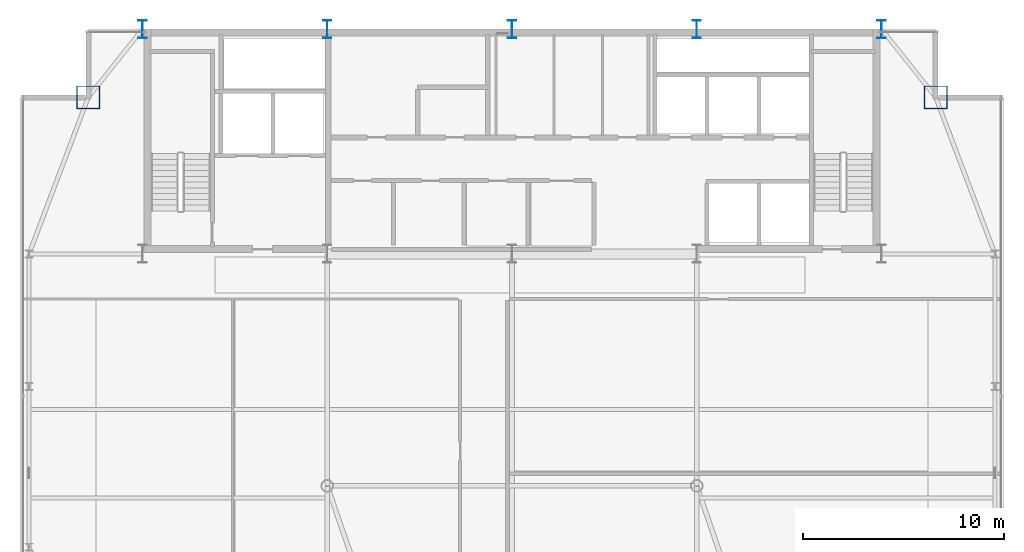
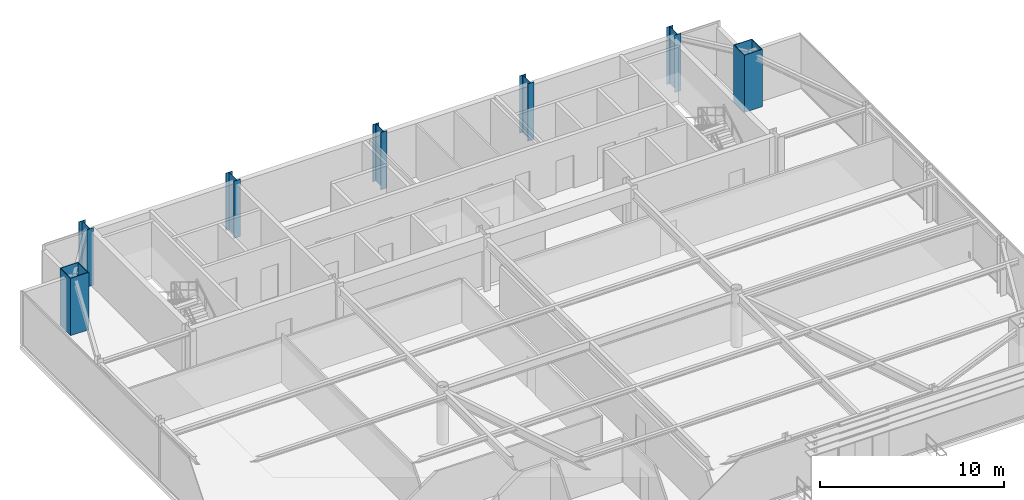
# One storey, part 3 of 30: 7 columns.
"""IFC4 building model written with IfcOpenShell, lengths in metres."""

from ifc_helpers import new_model, si_unit, direction, frame, origin, origin_2d, place, context, subcontext, project, spatial, hollow_rectangle, i_section, extrude, source, transform, mapped, material, material_profile, profile_set, type_object, type_shapes, element, save


model = new_model("IFC4")

# Units and contexts
model_context = context("Model", 3, precision=1e-05, world=origin(), true_north=direction((0.0, 1.0)))
body_context = subcontext(model_context, "Body", "Model", "MODEL_VIEW")
ifc_project = project(units=[si_unit("LENGTHUNIT", "METRE"), si_unit("AREAUNIT", "SQUARE_METRE"), si_unit("VOLUMEUNIT", "CUBIC_METRE"), si_unit("PLANEANGLEUNIT", "RADIAN"), si_unit("MASSUNIT", "GRAM", prefix="KILO")], contexts=[model_context])

# Site, building, storey
site_placement = place(None, origin())
site = spatial("IfcSite", under=ifc_project, at=site_placement, CompositionType="ELEMENT")
building_placement = place(site_placement, origin())
building = spatial("IfcBuilding", under=site, at=building_placement, Name="Varnel Quay Broadcast Tower", CompositionType="ELEMENT")
storey_placement = place(building_placement, frame((0.0, 0.0, 222.60009765625)))
storey = spatial("IfcBuildingStorey", under=building, at=storey_placement, Name="L55", CompositionType="ELEMENT", Elevation=222.60009765625)

# Columns
ifc_material = material(Name="Structural Steel CSA G40.21 350WT", Category="steel")
ifc_material_profile_1 = material_profile(ifc_material, i_section(OverallWidth=0.39990234375, OverallDepth=0.89990234375, WebThickness=0.01611328125, FlangeThickness=0.028076171875, FilletRadius=0.01611328125, at=origin_2d()), Name="WWF900X309")
ifc_profile_set_1 = profile_set([ifc_material_profile_1], Name="Structural Steel CSA G40.21 350WT")
column_type_1 = type_object("IfcColumnType", Name="Col_WWF900X309", PredefinedType="COLUMN", material=ifc_profile_set_1)
shared_shape_1 = source(origin(), body_context, "Body", "SweptSolid", [
    extrude(i_section(OverallWidth=0.39990234375, OverallDepth=0.89990234375, WebThickness=0.01611328125, FlangeThickness=0.028076171875, FilletRadius=0.01611328125, at=origin_2d()), origin(), (0.0, 0.0, 1.0), 3.7998046875),
])
type_shapes(column_type_1, [shared_shape_1])
for number, where, z_axis, x_axis, name in (
    (1, (15.60009765625, 46.800048828125, 0.0), (0.0, 0.0, 1.0), (1.0, 0.0, 0.0), "L55 Column CC-N1"),
    (2, (24.800048828125, 46.800048828125, 0.0), (0.0, 0.0, 1.0), (1.0, 0.0, 0.0), "L55 Column CC-N2"),
    (3, (34.0, 46.800048828125, 0.0), (0.0, 0.0, 1.0), (1.0, 0.0, 0.0), "L55 Column CC-N3"),
    (4, (43.199951171875, 46.800048828125, 0.0), (0.0, 0.0, 1.0), (1.0, 0.0, 0.0), "L55 Column CC-N4"),
    (5, (52.39990234375, 46.800048828125, 0.0), (0.0, 0.0, 1.0), (1.0, 0.0, 0.0), "L55 Column CC-N5"),
):
    element("IfcColumn", number, at=place(storey_placement, frame(where, z_axis=z_axis, x_axis=x_axis)), inside=storey, type_object=column_type_1, Name=name, PredefinedType="COLUMN", context=body_context, shape_type="MappedRepresentation", body=[
        mapped(shared_shape_1, transform((0.0, 0.0, 0.0), x_axis=(1.0, 0.0, 0.0), y_axis=(0.0, 1.0, 0.0), z_axis=(0.0, 0.0, 1.0), scale=1.0)),
    ])
ifc_material_profile_2 = material_profile(ifc_material, hollow_rectangle(XDim=1.14990234375, YDim=1.14990234375, WallThickness=0.044921875, at=origin_2d()), Name="BOX1150X1150X45")
ifc_profile_set_2 = profile_set([ifc_material_profile_2], Name="Structural Steel CSA G40.21 350WT")
column_type_2 = type_object("IfcColumnType", Name="Col_BOX1150X1150X45", PredefinedType="COLUMN", material=ifc_profile_set_2)
shared_shape_2 = source(origin(), body_context, "Body", "SweptSolid", [
    extrude(hollow_rectangle(XDim=1.14990234375, YDim=1.14990234375, WallThickness=0.044921875, at=origin_2d()), origin(), (0.0, 0.0, 1.0), 3.7998046875),
])
type_shapes(column_type_2, [shared_shape_2])
for number, where, z_axis, x_axis, name in (
    (6, (55.10009765625, 43.39990234375, 0.0), (0.0, 0.0, 1.0), (1.0, 0.0, 0.0), "L55 Column MC-NE"),
    (7, (12.89990234375, 43.39990234375, 0.0), (0.0, 0.0, 1.0), (1.0, 0.0, 0.0), "L55 Column MC-NW"),
):
    element("IfcColumn", number, at=place(storey_placement, frame(where, z_axis=z_axis, x_axis=x_axis)), inside=storey, type_object=column_type_2, Name=name, PredefinedType="COLUMN", context=body_context, shape_type="MappedRepresentation", body=[
        mapped(shared_shape_2, transform((0.0, 0.0, 0.0), x_axis=(1.0, 0.0, 0.0), y_axis=(0.0, 1.0, 0.0), z_axis=(0.0, 0.0, 1.0), scale=1.0)),
    ])

save(model, "model.ifc")
